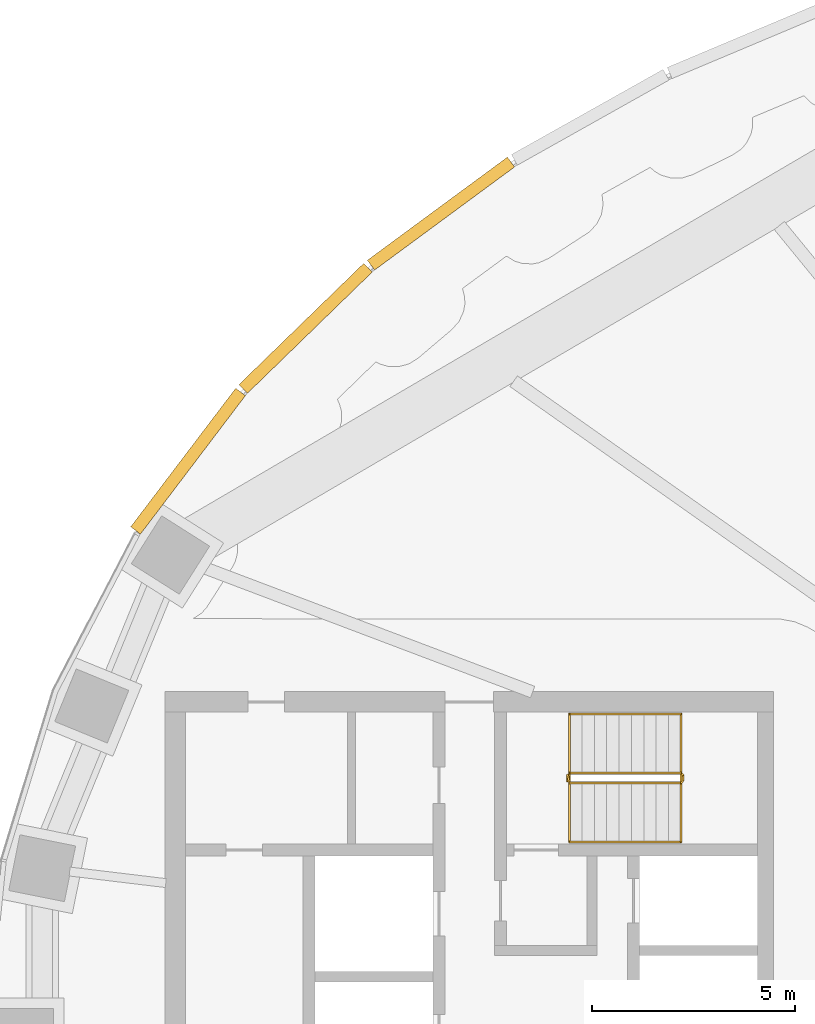
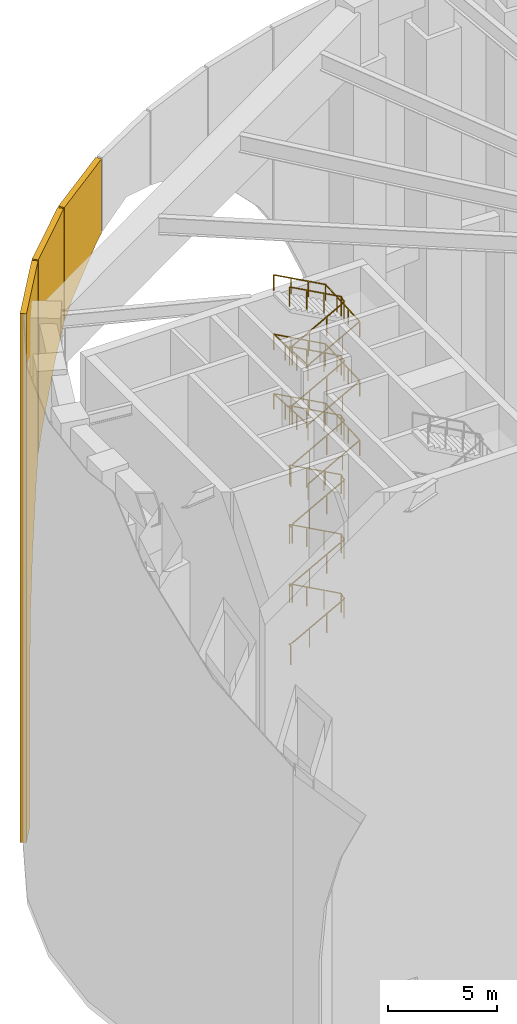
# One storey, part 21 of 26: 3 coverings, 3 railings.
"""IFC4 building model written with IfcOpenShell, lengths in metres."""

from ifc_helpers import new_model, si_unit, direction, frame, origin, origin_2d, place, context, subcontext, project, spatial, polyline, rectangle, outline, extrude, material, layer, layer_set, type_object, element, save


model = new_model("IFC4")

# Units and contexts
model_context = context("Model", 3, precision=1e-05, world=origin(), true_north=direction((0.0, 1.0)))
body_context = subcontext(model_context, "Body", "Model", "MODEL_VIEW")
ifc_project = project(units=[si_unit("LENGTHUNIT", "METRE"), si_unit("AREAUNIT", "SQUARE_METRE"), si_unit("VOLUMEUNIT", "CUBIC_METRE"), si_unit("PLANEANGLEUNIT", "RADIAN"), si_unit("MASSUNIT", "GRAM", prefix="KILO")], contexts=[model_context])

# Site, building, storey
site_placement = place(None, origin())
site = spatial("IfcSite", under=ifc_project, at=site_placement, CompositionType="ELEMENT")
building_placement = place(site_placement, origin())
building = spatial("IfcBuilding", under=site, at=building_placement, Name="Noorbagh Ring Tower", CompositionType="ELEMENT")
storey_placement = place(building_placement, frame((0.0, 0.0, 203.5)))
storey = spatial("IfcBuildingStorey", under=building, at=storey_placement, Name="L47", CompositionType="ELEMENT", Elevation=203.5)

# Railings
ifc_material_1 = material(Name="Stainless steel", Category="steel")
railing_type_1 = type_object("IfcRailingType", Name="CORE-STAIR-GUARD", PredefinedType="GUARDRAIL", material=ifc_material_1)
railing_1_placement = place(storey_placement, frame((-21.580078125, 6.300048828125, 10.0)))
element("IfcRailing", 1, at=railing_1_placement, inside=storey, type_object=railing_type_1, Name="L47b ST1 stair guard", PredefinedType="GUARDRAIL", context=body_context, shape_type="SweptSolid", body=[
    extrude(rectangle(XDim=0.048095703125, YDim=0.048095703125, at=origin_2d()), frame((0.0, 0.0, 1.076171875), z_axis=(0.0, 1.0, 0.0), x_axis=(-1.0, 0.0, 0.0)), (0.0, 0.0, 1.0), 0.14990234375),
    extrude(rectangle(XDim=0.048095703125, YDim=0.048095703125, at=origin_2d()), frame((0.0, 0.14990234375, 1.076171875), z_axis=(0.188775798145, -0.754182335027, 0.628945707965), x_axis=(0.970072785993, 0.242814311512, 0.0)), (0.0, 0.0, 1.0), 0.26513671875),
    extrude(rectangle(XDim=0.048095703125, YDim=0.048095703125, at=origin_2d()), frame((0.050048828125, -0.050048828125, 1.24267578125), z_axis=(0.877537414544, 0.0, 0.479508171021), x_axis=(0.0, 1.0, 0.0)), (0.0, 0.0, 1.0), 3.128173828125),
    extrude(rectangle(XDim=0.048095703125, YDim=0.048095703125, at=origin_2d()), frame((2.795166015625, -0.050048828125, 2.74267578125), z_axis=(0.705375805398, 0.708833529934, 0.0), x_axis=(-0.708833529934, 0.705375805398, 0.0)), (0.0, 0.0, 1.0), 0.070556640625),
    extrude(rectangle(XDim=0.048095703125, YDim=0.048095703125, at=origin_2d()), frame((2.844970703125, 0.0, 2.74267578125), z_axis=(0.0, 1.0, 0.0), x_axis=(-1.0, 0.0, 0.0)), (0.0, 0.0, 1.0), 0.14990234375),
    extrude(rectangle(XDim=0.048095703125, YDim=0.048095703125, at=origin_2d()), frame((2.844970703125, 0.14990234375, 2.74267578125), z_axis=(-0.275382897532, 0.276732813696, 0.920642824102), x_axis=(-0.708833529934, -0.705375805398, 0.0)), (0.0, 0.0, 1.0), 0.180908203125),
    extrude(rectangle(XDim=0.048095703125, YDim=0.048095703125, at=origin_2d()), frame((2.795166015625, 0.199951171875, 2.9091796875), z_axis=(-0.877537414544, 0.0, 0.479508171021), x_axis=(0.0, -1.0, 0.0)), (0.0, 0.0, 1.0), 3.128173828125),
    extrude(rectangle(XDim=0.048095703125, YDim=0.048095703125, at=origin_2d()), frame((0.050048828125, 0.199951171875, 4.4091796875), z_axis=(-0.242814311512, -0.970072785993, 0.0), x_axis=(0.970072785993, -0.242814311512, 0.0)), (0.0, 0.0, 1.0), 0.2060546875),
    extrude(rectangle(XDim=0.048095703125, YDim=0.048095703125, at=origin_2d()), frame((0.0, 0.0, 4.4091796875), z_axis=(0.0, 1.0, 0.0), x_axis=(-1.0, 0.0, 0.0)), (0.0, 0.0, 1.0), 0.14990234375),
    extrude(rectangle(XDim=0.048095703125, YDim=0.048095703125, at=origin_2d()), frame((0.0, 0.14990234375, 4.4091796875), z_axis=(0.188775798145, -0.754182335027, 0.628945707965), x_axis=(0.970072785993, 0.242814311512, 0.0)), (0.0, 0.0, 1.0), 0.26513671875),
    extrude(rectangle(XDim=0.048095703125, YDim=0.048095703125, at=origin_2d()), frame((0.050048828125, -0.050048828125, 4.576171875), z_axis=(0.877537414544, 0.0, 0.479508171021), x_axis=(0.0, 1.0, 0.0)), (0.0, 0.0, 1.0), 3.128173828125),
    extrude(rectangle(XDim=0.048095703125, YDim=0.048095703125, at=origin_2d()), frame((2.795166015625, -0.050048828125, 6.076171875), z_axis=(0.705375805398, 0.708833529934, 0.0), x_axis=(-0.708833529934, 0.705375805398, 0.0)), (0.0, 0.0, 1.0), 0.070556640625),
    extrude(rectangle(XDim=0.048095703125, YDim=0.048095703125, at=origin_2d()), frame((2.844970703125, 0.0, 6.076171875), z_axis=(0.0, 1.0, 0.0), x_axis=(-1.0, 0.0, 0.0)), (0.0, 0.0, 1.0), 0.14990234375),
    extrude(rectangle(XDim=0.048095703125, YDim=0.048095703125, at=origin_2d()), frame((2.844970703125, 0.14990234375, 6.076171875), z_axis=(-0.275041040955, 0.276389281352, 0.920848191041), x_axis=(-0.708833529934, -0.705375805398, 0.0)), (0.0, 0.0, 1.0), 0.18115234375),
    extrude(rectangle(XDim=0.048095703125, YDim=0.048095703125, at=origin_2d()), frame((2.795166015625, 0.199951171875, 6.24267578125), z_axis=(-0.877537414544, 0.0, 0.479508171021), x_axis=(0.0, -1.0, 0.0)), (0.0, 0.0, 1.0), 3.128173828125),
    extrude(rectangle(XDim=0.048095703125, YDim=0.048095703125, at=origin_2d()), frame((0.050048828125, 0.199951171875, 7.74267578125), z_axis=(-0.242814311512, -0.970072785993, 0.0), x_axis=(0.970072785993, -0.242814311512, 0.0)), (0.0, 0.0, 1.0), 0.2060546875),
    extrude(rectangle(XDim=0.048095703125, YDim=0.048095703125, at=origin_2d()), frame((0.0, 0.0, 7.74267578125), z_axis=(0.0, 1.0, 0.0), x_axis=(-1.0, 0.0, 0.0)), (0.0, 0.0, 1.0), 0.14990234375),
    extrude(rectangle(XDim=0.048095703125, YDim=0.048095703125, at=origin_2d()), frame((0.0, 0.14990234375, 7.74267578125), z_axis=(0.188885146209, -0.754619193878, 0.628388632753), x_axis=(0.970072785993, 0.242814311512, 0.0)), (0.0, 0.0, 1.0), 0.264892578125),
    extrude(rectangle(XDim=0.048095703125, YDim=0.048095703125, at=origin_2d()), frame((0.050048828125, -0.050048828125, 7.9091796875), z_axis=(0.877537414544, 0.0, 0.479508171021), x_axis=(0.0, 1.0, 0.0)), (0.0, 0.0, 1.0), 3.128173828125),
    extrude(rectangle(XDim=0.048095703125, YDim=0.048095703125, at=origin_2d()), frame((2.795166015625, -0.050048828125, 9.4091796875), z_axis=(0.705375805398, 0.708833529934, 0.0), x_axis=(-0.708833529934, 0.705375805398, 0.0)), (0.0, 0.0, 1.0), 0.070556640625),
    extrude(rectangle(XDim=0.048095703125, YDim=0.048095703125, at=origin_2d()), frame((2.844970703125, 0.0, 9.4091796875), z_axis=(0.0, 1.0, 0.0), x_axis=(-1.0, 0.0, 0.0)), (0.0, 0.0, 1.0), 0.14990234375),
    extrude(rectangle(XDim=0.048095703125, YDim=0.048095703125, at=origin_2d()), frame((2.844970703125, 0.14990234375, 9.4091796875), z_axis=(-0.275041040955, 0.276389281352, 0.920848191041), x_axis=(-0.708833529934, -0.705375805398, 0.0)), (0.0, 0.0, 1.0), 0.18115234375),
    extrude(rectangle(XDim=0.048095703125, YDim=0.048095703125, at=origin_2d()), frame((2.795166015625, 0.199951171875, 9.576171875), z_axis=(-0.877537414544, 0.0, 0.479508171021), x_axis=(0.0, -1.0, 0.0)), (0.0, 0.0, 1.0), 3.128173828125),
    extrude(rectangle(XDim=0.0419921875, YDim=0.0419921875, at=origin_2d()), origin(), (0.0, 0.0, 1.0), 1.052001953125),
    extrude(rectangle(XDim=0.0419921875, YDim=0.0419921875, at=origin_2d()), frame((0.965087890625, -0.050048828125, 0.666748046875)), (0.0, 0.0, 1.0), 1.052001953125),
    extrude(rectangle(XDim=0.0419921875, YDim=0.0419921875, at=origin_2d()), frame((1.880126953125, -0.050048828125, 1.166748046875)), (0.0, 0.0, 1.0), 1.052001953125),
    extrude(rectangle(XDim=0.0419921875, YDim=0.0419921875, at=origin_2d()), frame((2.795166015625, -0.050048828125, 1.666748046875)), (0.0, 0.0, 1.0), 1.052001953125),
    extrude(rectangle(XDim=0.0419921875, YDim=0.0419921875, at=origin_2d()), frame((2.795166015625, 0.199951171875, 1.833251953125)), (0.0, 0.0, 1.0), 1.052001953125),
    extrude(rectangle(XDim=0.0419921875, YDim=0.0419921875, at=origin_2d()), frame((1.880126953125, 0.199951171875, 2.333251953125)), (0.0, 0.0, 1.0), 1.052001953125),
    extrude(rectangle(XDim=0.0419921875, YDim=0.0419921875, at=origin_2d()), frame((0.965087890625, 0.199951171875, 2.833251953125)), (0.0, 0.0, 1.0), 1.052001953125),
    extrude(rectangle(XDim=0.0419921875, YDim=0.0419921875, at=origin_2d()), frame((0.050048828125, 0.199951171875, 3.333251953125)), (0.0, 0.0, 1.0), 1.052001953125),
    extrude(rectangle(XDim=0.0419921875, YDim=0.0419921875, at=origin_2d()), frame((0.050048828125, -0.050048828125, 3.5)), (0.0, 0.0, 1.0), 1.052001953125),
    extrude(rectangle(XDim=0.0419921875, YDim=0.0419921875, at=origin_2d()), frame((0.965087890625, -0.050048828125, 4.0)), (0.0, 0.0, 1.0), 1.052001953125),
    extrude(rectangle(XDim=0.0419921875, YDim=0.0419921875, at=origin_2d()), frame((1.880126953125, -0.050048828125, 4.5)), (0.0, 0.0, 1.0), 1.052001953125),
    extrude(rectangle(XDim=0.0419921875, YDim=0.0419921875, at=origin_2d()), frame((2.795166015625, -0.050048828125, 5.0)), (0.0, 0.0, 1.0), 1.052001953125),
    extrude(rectangle(XDim=0.0419921875, YDim=0.0419921875, at=origin_2d()), frame((2.795166015625, 0.199951171875, 5.166748046875)), (0.0, 0.0, 1.0), 1.052001953125),
    extrude(rectangle(XDim=0.0419921875, YDim=0.0419921875, at=origin_2d()), frame((1.880126953125, 0.199951171875, 5.666748046875)), (0.0, 0.0, 1.0), 1.052001953125),
    extrude(rectangle(XDim=0.0419921875, YDim=0.0419921875, at=origin_2d()), frame((0.965087890625, 0.199951171875, 6.166748046875)), (0.0, 0.0, 1.0), 1.052001953125),
    extrude(rectangle(XDim=0.0419921875, YDim=0.0419921875, at=origin_2d()), frame((0.050048828125, 0.199951171875, 6.666748046875)), (0.0, 0.0, 1.0), 1.052001953125),
    extrude(rectangle(XDim=0.0419921875, YDim=0.0419921875, at=origin_2d()), frame((0.050048828125, -0.050048828125, 6.833251953125)), (0.0, 0.0, 1.0), 1.052001953125),
    extrude(rectangle(XDim=0.0419921875, YDim=0.0419921875, at=origin_2d()), frame((0.965087890625, -0.050048828125, 7.333251953125)), (0.0, 0.0, 1.0), 1.052001953125),
    extrude(rectangle(XDim=0.0419921875, YDim=0.0419921875, at=origin_2d()), frame((1.880126953125, -0.050048828125, 7.833251953125)), (0.0, 0.0, 1.0), 1.052001953125),
    extrude(rectangle(XDim=0.0419921875, YDim=0.0419921875, at=origin_2d()), frame((2.795166015625, -0.050048828125, 8.333251953125)), (0.0, 0.0, 1.0), 1.052001953125),
    extrude(rectangle(XDim=0.0419921875, YDim=0.0419921875, at=origin_2d()), frame((2.795166015625, 0.199951171875, 8.5)), (0.0, 0.0, 1.0), 1.052001953125),
    extrude(rectangle(XDim=0.0419921875, YDim=0.0419921875, at=origin_2d()), frame((1.880126953125, 0.199951171875, 9.0)), (0.0, 0.0, 1.0), 1.052001953125),
    extrude(rectangle(XDim=0.0419921875, YDim=0.0419921875, at=origin_2d()), frame((0.965087890625, 0.199951171875, 9.5)), (0.0, 0.0, 1.0), 1.052001953125),
    extrude(rectangle(XDim=0.0419921875, YDim=0.0419921875, at=origin_2d()), frame((0.050048828125, 0.199951171875, 10.0)), (0.0, 0.0, 1.0), 1.052001953125),
])
railing_2_placement = place(storey_placement, frame((-21.580078125, 6.300048828125, 20.0)))
element("IfcRailing", 2, at=railing_2_placement, inside=storey, type_object=railing_type_1, Name="L47c ST1 stair guard", PredefinedType="GUARDRAIL", context=body_context, shape_type="SweptSolid", body=[
    extrude(rectangle(XDim=0.048095703125, YDim=0.048095703125, at=origin_2d()), frame((0.0, 0.0, 1.076171875), z_axis=(0.0, 1.0, 0.0), x_axis=(-1.0, 0.0, 0.0)), (0.0, 0.0, 1.0), 0.14990234375),
    extrude(rectangle(XDim=0.048095703125, YDim=0.048095703125, at=origin_2d()), frame((0.0, 0.14990234375, 1.076171875), z_axis=(0.188775798145, -0.754182335027, 0.628945707965), x_axis=(0.970072785993, 0.242814311512, 0.0)), (0.0, 0.0, 1.0), 0.26513671875),
    extrude(rectangle(XDim=0.048095703125, YDim=0.048095703125, at=origin_2d()), frame((0.050048828125, -0.050048828125, 1.24267578125), z_axis=(0.877537414544, 0.0, 0.479508171021), x_axis=(0.0, 1.0, 0.0)), (0.0, 0.0, 1.0), 3.128173828125),
    extrude(rectangle(XDim=0.048095703125, YDim=0.048095703125, at=origin_2d()), frame((2.795166015625, -0.050048828125, 2.74267578125), z_axis=(0.705375805398, 0.708833529934, 0.0), x_axis=(-0.708833529934, 0.705375805398, 0.0)), (0.0, 0.0, 1.0), 0.070556640625),
    extrude(rectangle(XDim=0.048095703125, YDim=0.048095703125, at=origin_2d()), frame((2.844970703125, 0.0, 2.74267578125), z_axis=(0.0, 1.0, 0.0), x_axis=(-1.0, 0.0, 0.0)), (0.0, 0.0, 1.0), 0.14990234375),
    extrude(rectangle(XDim=0.048095703125, YDim=0.048095703125, at=origin_2d()), frame((2.844970703125, 0.14990234375, 2.74267578125), z_axis=(-0.275382897532, 0.276732813696, 0.920642824102), x_axis=(-0.708833529934, -0.705375805398, 0.0)), (0.0, 0.0, 1.0), 0.180908203125),
    extrude(rectangle(XDim=0.048095703125, YDim=0.048095703125, at=origin_2d()), frame((2.795166015625, 0.199951171875, 2.9091796875), z_axis=(-0.877537414544, 0.0, 0.479508171021), x_axis=(0.0, -1.0, 0.0)), (0.0, 0.0, 1.0), 3.128173828125),
    extrude(rectangle(XDim=0.048095703125, YDim=0.048095703125, at=origin_2d()), frame((0.050048828125, 0.199951171875, 4.4091796875), z_axis=(-0.242814311512, -0.970072785993, 0.0), x_axis=(0.970072785993, -0.242814311512, 0.0)), (0.0, 0.0, 1.0), 0.2060546875),
    extrude(rectangle(XDim=0.048095703125, YDim=0.048095703125, at=origin_2d()), frame((0.0, 0.0, 4.4091796875), z_axis=(0.0, 1.0, 0.0), x_axis=(-1.0, 0.0, 0.0)), (0.0, 0.0, 1.0), 0.14990234375),
    extrude(rectangle(XDim=0.048095703125, YDim=0.048095703125, at=origin_2d()), frame((0.0, 0.14990234375, 4.4091796875), z_axis=(0.188775798145, -0.754182335027, 0.628945707965), x_axis=(0.970072785993, 0.242814311512, 0.0)), (0.0, 0.0, 1.0), 0.26513671875),
    extrude(rectangle(XDim=0.048095703125, YDim=0.048095703125, at=origin_2d()), frame((0.050048828125, -0.050048828125, 4.576171875), z_axis=(0.877537414544, 0.0, 0.479508171021), x_axis=(0.0, 1.0, 0.0)), (0.0, 0.0, 1.0), 3.128173828125),
    extrude(rectangle(XDim=0.048095703125, YDim=0.048095703125, at=origin_2d()), frame((2.795166015625, -0.050048828125, 6.076171875), z_axis=(0.705375805398, 0.708833529934, 0.0), x_axis=(-0.708833529934, 0.705375805398, 0.0)), (0.0, 0.0, 1.0), 0.070556640625),
    extrude(rectangle(XDim=0.048095703125, YDim=0.048095703125, at=origin_2d()), frame((2.844970703125, 0.0, 6.076171875), z_axis=(0.0, 1.0, 0.0), x_axis=(-1.0, 0.0, 0.0)), (0.0, 0.0, 1.0), 0.14990234375),
    extrude(rectangle(XDim=0.048095703125, YDim=0.048095703125, at=origin_2d()), frame((2.844970703125, 0.14990234375, 6.076171875), z_axis=(-0.275041040955, 0.276389281352, 0.920848191041), x_axis=(-0.708833529934, -0.705375805398, 0.0)), (0.0, 0.0, 1.0), 0.18115234375),
    extrude(rectangle(XDim=0.048095703125, YDim=0.048095703125, at=origin_2d()), frame((2.795166015625, 0.199951171875, 6.24267578125), z_axis=(-0.877537414544, 0.0, 0.479508171021), x_axis=(0.0, -1.0, 0.0)), (0.0, 0.0, 1.0), 3.128173828125),
    extrude(rectangle(XDim=0.048095703125, YDim=0.048095703125, at=origin_2d()), frame((0.050048828125, 0.199951171875, 7.74267578125), z_axis=(-0.242814311512, -0.970072785993, 0.0), x_axis=(0.970072785993, -0.242814311512, 0.0)), (0.0, 0.0, 1.0), 0.2060546875),
    extrude(rectangle(XDim=0.048095703125, YDim=0.048095703125, at=origin_2d()), frame((0.0, 0.0, 7.74267578125), z_axis=(0.0, 1.0, 0.0), x_axis=(-1.0, 0.0, 0.0)), (0.0, 0.0, 1.0), 0.14990234375),
    extrude(rectangle(XDim=0.048095703125, YDim=0.048095703125, at=origin_2d()), frame((0.0, 0.14990234375, 7.74267578125), z_axis=(0.188885146209, -0.754619193878, 0.628388632753), x_axis=(0.970072785993, 0.242814311512, 0.0)), (0.0, 0.0, 1.0), 0.264892578125),
    extrude(rectangle(XDim=0.048095703125, YDim=0.048095703125, at=origin_2d()), frame((0.050048828125, -0.050048828125, 7.9091796875), z_axis=(0.877537414544, 0.0, 0.479508171021), x_axis=(0.0, 1.0, 0.0)), (0.0, 0.0, 1.0), 3.128173828125),
    extrude(rectangle(XDim=0.048095703125, YDim=0.048095703125, at=origin_2d()), frame((2.795166015625, -0.050048828125, 9.4091796875), z_axis=(0.705375805398, 0.708833529934, 0.0), x_axis=(-0.708833529934, 0.705375805398, 0.0)), (0.0, 0.0, 1.0), 0.070556640625),
    extrude(rectangle(XDim=0.048095703125, YDim=0.048095703125, at=origin_2d()), frame((2.844970703125, 0.0, 9.4091796875), z_axis=(0.0, 1.0, 0.0), x_axis=(-1.0, 0.0, 0.0)), (0.0, 0.0, 1.0), 0.14990234375),
    extrude(rectangle(XDim=0.048095703125, YDim=0.048095703125, at=origin_2d()), frame((2.844970703125, 0.14990234375, 9.4091796875), z_axis=(-0.275041040955, 0.276389281352, 0.920848191041), x_axis=(-0.708833529934, -0.705375805398, 0.0)), (0.0, 0.0, 1.0), 0.18115234375),
    extrude(rectangle(XDim=0.048095703125, YDim=0.048095703125, at=origin_2d()), frame((2.795166015625, 0.199951171875, 9.576171875), z_axis=(-0.877537414544, 0.0, 0.479508171021), x_axis=(0.0, -1.0, 0.0)), (0.0, 0.0, 1.0), 3.128173828125),
    extrude(rectangle(XDim=0.0419921875, YDim=0.0419921875, at=origin_2d()), origin(), (0.0, 0.0, 1.0), 1.052001953125),
    extrude(rectangle(XDim=0.0419921875, YDim=0.0419921875, at=origin_2d()), frame((0.965087890625, -0.050048828125, 0.666748046875)), (0.0, 0.0, 1.0), 1.052001953125),
    extrude(rectangle(XDim=0.0419921875, YDim=0.0419921875, at=origin_2d()), frame((1.880126953125, -0.050048828125, 1.166748046875)), (0.0, 0.0, 1.0), 1.052001953125),
    extrude(rectangle(XDim=0.0419921875, YDim=0.0419921875, at=origin_2d()), frame((2.795166015625, -0.050048828125, 1.666748046875)), (0.0, 0.0, 1.0), 1.052001953125),
    extrude(rectangle(XDim=0.0419921875, YDim=0.0419921875, at=origin_2d()), frame((2.795166015625, 0.199951171875, 1.833251953125)), (0.0, 0.0, 1.0), 1.052001953125),
    extrude(rectangle(XDim=0.0419921875, YDim=0.0419921875, at=origin_2d()), frame((1.880126953125, 0.199951171875, 2.333251953125)), (0.0, 0.0, 1.0), 1.052001953125),
    extrude(rectangle(XDim=0.0419921875, YDim=0.0419921875, at=origin_2d()), frame((0.965087890625, 0.199951171875, 2.833251953125)), (0.0, 0.0, 1.0), 1.052001953125),
    extrude(rectangle(XDim=0.0419921875, YDim=0.0419921875, at=origin_2d()), frame((0.050048828125, 0.199951171875, 3.333251953125)), (0.0, 0.0, 1.0), 1.052001953125),
    extrude(rectangle(XDim=0.0419921875, YDim=0.0419921875, at=origin_2d()), frame((0.050048828125, -0.050048828125, 3.5)), (0.0, 0.0, 1.0), 1.052001953125),
    extrude(rectangle(XDim=0.0419921875, YDim=0.0419921875, at=origin_2d()), frame((0.965087890625, -0.050048828125, 4.0)), (0.0, 0.0, 1.0), 1.052001953125),
    extrude(rectangle(XDim=0.0419921875, YDim=0.0419921875, at=origin_2d()), frame((1.880126953125, -0.050048828125, 4.5)), (0.0, 0.0, 1.0), 1.052001953125),
    extrude(rectangle(XDim=0.0419921875, YDim=0.0419921875, at=origin_2d()), frame((2.795166015625, -0.050048828125, 5.0)), (0.0, 0.0, 1.0), 1.052001953125),
    extrude(rectangle(XDim=0.0419921875, YDim=0.0419921875, at=origin_2d()), frame((2.795166015625, 0.199951171875, 5.166748046875)), (0.0, 0.0, 1.0), 1.052001953125),
    extrude(rectangle(XDim=0.0419921875, YDim=0.0419921875, at=origin_2d()), frame((1.880126953125, 0.199951171875, 5.666748046875)), (0.0, 0.0, 1.0), 1.052001953125),
    extrude(rectangle(XDim=0.0419921875, YDim=0.0419921875, at=origin_2d()), frame((0.965087890625, 0.199951171875, 6.166748046875)), (0.0, 0.0, 1.0), 1.052001953125),
    extrude(rectangle(XDim=0.0419921875, YDim=0.0419921875, at=origin_2d()), frame((0.050048828125, 0.199951171875, 6.666748046875)), (0.0, 0.0, 1.0), 1.052001953125),
    extrude(rectangle(XDim=0.0419921875, YDim=0.0419921875, at=origin_2d()), frame((0.050048828125, -0.050048828125, 6.833251953125)), (0.0, 0.0, 1.0), 1.052001953125),
    extrude(rectangle(XDim=0.0419921875, YDim=0.0419921875, at=origin_2d()), frame((0.965087890625, -0.050048828125, 7.333251953125)), (0.0, 0.0, 1.0), 1.052001953125),
    extrude(rectangle(XDim=0.0419921875, YDim=0.0419921875, at=origin_2d()), frame((1.880126953125, -0.050048828125, 7.833251953125)), (0.0, 0.0, 1.0), 1.052001953125),
    extrude(rectangle(XDim=0.0419921875, YDim=0.0419921875, at=origin_2d()), frame((2.795166015625, -0.050048828125, 8.333251953125)), (0.0, 0.0, 1.0), 1.052001953125),
    extrude(rectangle(XDim=0.0419921875, YDim=0.0419921875, at=origin_2d()), frame((2.795166015625, 0.199951171875, 8.5)), (0.0, 0.0, 1.0), 1.052001953125),
    extrude(rectangle(XDim=0.0419921875, YDim=0.0419921875, at=origin_2d()), frame((1.880126953125, 0.199951171875, 9.0)), (0.0, 0.0, 1.0), 1.052001953125),
    extrude(rectangle(XDim=0.0419921875, YDim=0.0419921875, at=origin_2d()), frame((0.965087890625, 0.199951171875, 9.5)), (0.0, 0.0, 1.0), 1.052001953125),
    extrude(rectangle(XDim=0.0419921875, YDim=0.0419921875, at=origin_2d()), frame((0.050048828125, 0.199951171875, 10.0)), (0.0, 0.0, 1.0), 1.052001953125),
])
ifc_material_2 = material(Name="Stainless steel", Category="steel")
railing_type_2 = type_object("IfcRailingType", Name="CORE-STAIR-HANDRAIL", PredefinedType="HANDRAIL", material=ifc_material_2)
railing_3_placement = place(storey_placement, frame((-21.530029296875, 4.800048828125, 20.166748046875)))
element("IfcRailing", 3, at=railing_3_placement, inside=storey, type_object=railing_type_2, Name="L47c ST1 stair handrail", PredefinedType="HANDRAIL", context=body_context, shape_type="SweptSolid", body=[
    extrude(rectangle(XDim=0.048095703125, YDim=0.048095703125, at=origin_2d()), frame((0.0, 0.0, 0.8759765625), z_axis=(0.877537414544, 0.0, 0.479508171021), x_axis=(0.0, 1.0, 0.0)), (0.0, 0.0, 1.0), 3.128173828125),
    extrude(rectangle(XDim=0.048095703125, YDim=0.048095703125, at=origin_2d()), frame((2.7451171875, 0.0, 2.3759765625), z_axis=(0.0, 0.998605830047, 0.052786325848), x_axis=(-1.0, 0.0, 0.0)), (0.0, 0.0, 1.0), 3.154296875),
    extrude(rectangle(XDim=0.048095703125, YDim=0.048095703125, at=origin_2d()), frame((2.7451171875, 3.14990234375, 2.54248046875), z_axis=(-0.877537414544, 0.0, 0.479508171021), x_axis=(0.0, -1.0, 0.0)), (0.0, 0.0, 1.0), 3.128173828125),
    extrude(rectangle(XDim=0.048095703125, YDim=0.048095703125, at=origin_2d()), frame((0.0, 3.14990234375, 4.04248046875), z_axis=(0.0, -0.998601747152, 0.052863509014), x_axis=(1.0, 0.0, 0.0)), (0.0, 0.0, 1.0), 3.154296875),
    extrude(rectangle(XDim=0.048095703125, YDim=0.048095703125, at=origin_2d()), frame((0.0, 0.0, 4.208984375), z_axis=(0.877537414544, 0.0, 0.479508171021), x_axis=(0.0, 1.0, 0.0)), (0.0, 0.0, 1.0), 3.128173828125),
    extrude(rectangle(XDim=0.048095703125, YDim=0.048095703125, at=origin_2d()), frame((2.7451171875, 0.0, 5.708984375), z_axis=(0.0, 0.998601747152, 0.052863509014), x_axis=(-1.0, 0.0, 0.0)), (0.0, 0.0, 1.0), 3.154296875),
    extrude(rectangle(XDim=0.048095703125, YDim=0.048095703125, at=origin_2d()), frame((2.7451171875, 3.14990234375, 5.8759765625), z_axis=(-0.877537414544, 0.0, 0.479508171021), x_axis=(0.0, -1.0, 0.0)), (0.0, 0.0, 1.0), 3.128173828125),
    extrude(rectangle(XDim=0.048095703125, YDim=0.048095703125, at=origin_2d()), frame((0.0, 3.14990234375, 7.3759765625), z_axis=(0.0, -0.998605830047, 0.052786325848), x_axis=(1.0, 0.0, 0.0)), (0.0, 0.0, 1.0), 3.154296875),
    extrude(rectangle(XDim=0.048095703125, YDim=0.048095703125, at=origin_2d()), frame((0.0, 0.0, 7.54248046875), z_axis=(0.877537414544, 0.0, 0.479508171021), x_axis=(0.0, 1.0, 0.0)), (0.0, 0.0, 1.0), 3.128173828125),
    extrude(rectangle(XDim=0.048095703125, YDim=0.048095703125, at=origin_2d()), frame((2.7451171875, 0.0, 9.04248046875), z_axis=(0.0, 0.998601747152, 0.052863509014), x_axis=(-1.0, 0.0, 0.0)), (0.0, 0.0, 1.0), 3.154296875),
    extrude(rectangle(XDim=0.048095703125, YDim=0.048095703125, at=origin_2d()), frame((2.7451171875, 3.14990234375, 9.208984375), z_axis=(-0.877537414544, 0.0, 0.479508171021), x_axis=(0.0, -1.0, 0.0)), (0.0, 0.0, 1.0), 3.128173828125),
    extrude(rectangle(XDim=0.0419921875, YDim=0.0419921875, at=origin_2d()), origin(), (0.0, 0.0, 1.0), 0.851806640625),
    extrude(rectangle(XDim=0.0419921875, YDim=0.0419921875, at=origin_2d()), frame((0.9150390625, 0.0, 0.5)), (0.0, 0.0, 1.0), 0.851806640625),
    extrude(rectangle(XDim=0.0419921875, YDim=0.0419921875, at=origin_2d()), frame((1.830078125, 0.0, 1.0)), (0.0, 0.0, 1.0), 0.851806640625),
    extrude(rectangle(XDim=0.0419921875, YDim=0.0419921875, at=origin_2d()), frame((2.7451171875, 0.0, 1.5)), (0.0, 0.0, 1.0), 0.851806640625),
    extrude(rectangle(XDim=0.0419921875, YDim=0.0419921875, at=origin_2d()), frame((2.7451171875, 1.050048828125, 1.555419921875)), (0.0, 0.0, 1.0), 0.851806640625),
    extrude(rectangle(XDim=0.0419921875, YDim=0.0419921875, at=origin_2d()), frame((2.7451171875, 2.099853515625, 1.611083984375)), (0.0, 0.0, 1.0), 0.851806640625),
    extrude(rectangle(XDim=0.0419921875, YDim=0.0419921875, at=origin_2d()), frame((2.7451171875, 3.14990234375, 1.66650390625)), (0.0, 0.0, 1.0), 0.851806640625),
    extrude(rectangle(XDim=0.0419921875, YDim=0.0419921875, at=origin_2d()), frame((1.830078125, 3.14990234375, 2.16650390625)), (0.0, 0.0, 1.0), 0.851806640625),
    extrude(rectangle(XDim=0.0419921875, YDim=0.0419921875, at=origin_2d()), frame((0.9150390625, 3.14990234375, 2.66650390625)), (0.0, 0.0, 1.0), 0.851806640625),
    extrude(rectangle(XDim=0.0419921875, YDim=0.0419921875, at=origin_2d()), frame((0.0, 3.14990234375, 3.16650390625)), (0.0, 0.0, 1.0), 0.851806640625),
    extrude(rectangle(XDim=0.0419921875, YDim=0.0419921875, at=origin_2d()), frame((0.0, 2.099853515625, 3.22216796875)), (0.0, 0.0, 1.0), 0.851806640625),
    extrude(rectangle(XDim=0.0419921875, YDim=0.0419921875, at=origin_2d()), frame((0.0, 1.050048828125, 3.277587890625)), (0.0, 0.0, 1.0), 0.851806640625),
    extrude(rectangle(XDim=0.0419921875, YDim=0.0419921875, at=origin_2d()), frame((0.0, 0.0, 3.333251953125)), (0.0, 0.0, 1.0), 0.851806640625),
    extrude(rectangle(XDim=0.0419921875, YDim=0.0419921875, at=origin_2d()), frame((0.9150390625, 0.0, 3.833251953125)), (0.0, 0.0, 1.0), 0.851806640625),
    extrude(rectangle(XDim=0.0419921875, YDim=0.0419921875, at=origin_2d()), frame((1.830078125, 0.0, 4.333251953125)), (0.0, 0.0, 1.0), 0.851806640625),
    extrude(rectangle(XDim=0.0419921875, YDim=0.0419921875, at=origin_2d()), frame((2.7451171875, 0.0, 4.833251953125)), (0.0, 0.0, 1.0), 0.851806640625),
    extrude(rectangle(XDim=0.0419921875, YDim=0.0419921875, at=origin_2d()), frame((2.7451171875, 1.050048828125, 4.888916015625)), (0.0, 0.0, 1.0), 0.851806640625),
    extrude(rectangle(XDim=0.0419921875, YDim=0.0419921875, at=origin_2d()), frame((2.7451171875, 2.099853515625, 4.9443359375)), (0.0, 0.0, 1.0), 0.851806640625),
    extrude(rectangle(XDim=0.0419921875, YDim=0.0419921875, at=origin_2d()), frame((2.7451171875, 3.14990234375, 5.0)), (0.0, 0.0, 1.0), 0.851806640625),
    extrude(rectangle(XDim=0.0419921875, YDim=0.0419921875, at=origin_2d()), frame((1.830078125, 3.14990234375, 5.5)), (0.0, 0.0, 1.0), 0.851806640625),
    extrude(rectangle(XDim=0.0419921875, YDim=0.0419921875, at=origin_2d()), frame((0.9150390625, 3.14990234375, 6.0)), (0.0, 0.0, 1.0), 0.851806640625),
    extrude(rectangle(XDim=0.0419921875, YDim=0.0419921875, at=origin_2d()), frame((0.0, 3.14990234375, 6.5)), (0.0, 0.0, 1.0), 0.851806640625),
    extrude(rectangle(XDim=0.0419921875, YDim=0.0419921875, at=origin_2d()), frame((0.0, 2.099853515625, 6.555419921875)), (0.0, 0.0, 1.0), 0.851806640625),
    extrude(rectangle(XDim=0.0419921875, YDim=0.0419921875, at=origin_2d()), frame((0.0, 1.050048828125, 6.611083984375)), (0.0, 0.0, 1.0), 0.851806640625),
    extrude(rectangle(XDim=0.0419921875, YDim=0.0419921875, at=origin_2d()), frame((0.0, 0.0, 6.66650390625)), (0.0, 0.0, 1.0), 0.851806640625),
    extrude(rectangle(XDim=0.0419921875, YDim=0.0419921875, at=origin_2d()), frame((0.9150390625, 0.0, 7.16650390625)), (0.0, 0.0, 1.0), 0.851806640625),
    extrude(rectangle(XDim=0.0419921875, YDim=0.0419921875, at=origin_2d()), frame((1.830078125, 0.0, 7.66650390625)), (0.0, 0.0, 1.0), 0.851806640625),
    extrude(rectangle(XDim=0.0419921875, YDim=0.0419921875, at=origin_2d()), frame((2.7451171875, 0.0, 8.16650390625)), (0.0, 0.0, 1.0), 0.851806640625),
    extrude(rectangle(XDim=0.0419921875, YDim=0.0419921875, at=origin_2d()), frame((2.7451171875, 1.050048828125, 8.22216796875)), (0.0, 0.0, 1.0), 0.851806640625),
    extrude(rectangle(XDim=0.0419921875, YDim=0.0419921875, at=origin_2d()), frame((2.7451171875, 2.099853515625, 8.277587890625)), (0.0, 0.0, 1.0), 0.851806640625),
    extrude(rectangle(XDim=0.0419921875, YDim=0.0419921875, at=origin_2d()), frame((2.7451171875, 3.14990234375, 8.333251953125)), (0.0, 0.0, 1.0), 0.851806640625),
    extrude(rectangle(XDim=0.0419921875, YDim=0.0419921875, at=origin_2d()), frame((1.830078125, 3.14990234375, 8.833251953125)), (0.0, 0.0, 1.0), 0.851806640625),
    extrude(rectangle(XDim=0.0419921875, YDim=0.0419921875, at=origin_2d()), frame((0.9150390625, 3.14990234375, 9.333251953125)), (0.0, 0.0, 1.0), 0.851806640625),
    extrude(rectangle(XDim=0.0419921875, YDim=0.0419921875, at=origin_2d()), frame((0.0, 3.14990234375, 9.833251953125)), (0.0, 0.0, 1.0), 0.851806640625),
])

# Coverings
ifc_material_3 = material(Name="Sandstone cladding", Category="masonry")
ifc_layer = layer(ifc_material_3, 0.300048828125)
ifc_layer_set = layer_set([ifc_layer], Name="Sandstone cladding")
covering_type = type_object("IfcCoveringType", Name="STYLE-IWAN", PredefinedType="CLADDING", material=ifc_layer_set)
covering_1_placement = place(storey_placement, frame((-24.60888671875, 20.162841796875, 0.0), z_axis=(-0.593067090304, 0.805153045326, 0.0), x_axis=(-0.805153045326, -0.593067090304, 0.0)))
element("IfcCovering", 4, at=covering_1_placement, inside=storey, type_object=covering_type, Name="Gateway frame F18", ObjectType="ARCH", PredefinedType="CLADDING", context=body_context, shape_type="SweptSolid", body=[
    extrude(outline(polyline([(-2.142578125, 29.699951171875), (-2.142578125, 25.53125), (-1.513671875, 25.34375), (1.170654296875, 24.01171875), (2.142578125, 23.301025390625), (2.142578125, 29.699951171875), (-2.142578125, 29.699951171875)])), origin(), (0.0, 0.0, 1.0), 0.300048828125),
])
covering_2_placement = place(storey_placement, frame((-27.930908203125, 17.34814453125, 0.0), z_axis=(-0.696842125038, 0.717224548362, 0.0), x_axis=(-0.717224548362, -0.696842125038, 0.0)))
element("IfcCovering", 5, at=covering_2_placement, inside=storey, type_object=covering_type, Name="Gateway frame F19", ObjectType="ARCH", PredefinedType="CLADDING", context=body_context, shape_type="SweptSolid", body=[
    extrude(outline(polyline([(-2.14208984375, 29.699951171875), (-2.14208984375, 23.227783203125), (-0.795166015625, 22.242919921875), (1.287841796875, 20.088623046875), (2.14208984375, 18.833984375), (2.14208984375, 29.699951171875), (-2.14208984375, 29.699951171875)])), origin(), (0.0, 0.0, 1.0), 0.300048828125),
])
covering_3_placement = place(storey_placement, frame((-30.811767578125, 14.0908203125, 0.0), z_axis=(-0.796969018776, 0.604020184358, 0.0), x_axis=(-0.604020184358, -0.796969018776, 0.0)))
element("IfcCovering", 6, at=covering_3_placement, inside=storey, type_object=covering_type, Name="Gateway frame F20", ObjectType="ARCH", PredefinedType="CLADDING", context=body_context, shape_type="SweptSolid", body=[
    extrude(outline(polyline([(-2.1416015625, 29.699951171875), (-2.1416015625, 18.687255859375), (-1.409423828125, 17.61181640625), (-0.16845703125, 14.884521484375), (0.5908203125, 11.985595703125), (0.846435546875, 9.0), (0.846435546875, 0.0), (2.1416015625, 0.0), (2.1416015625, 29.699951171875), (-2.1416015625, 29.699951171875)])), origin(), (0.0, 0.0, 1.0), 0.300048828125),
])

save(model, "model.ifc")
